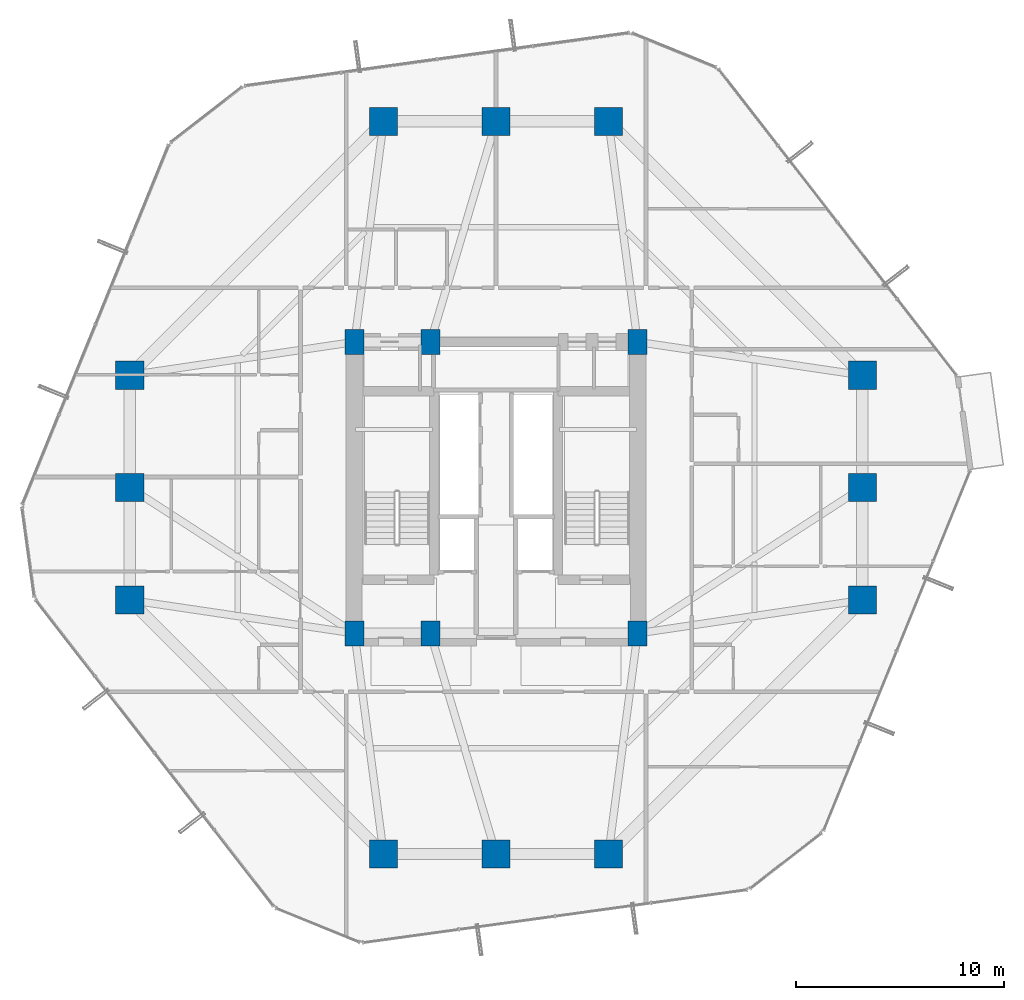
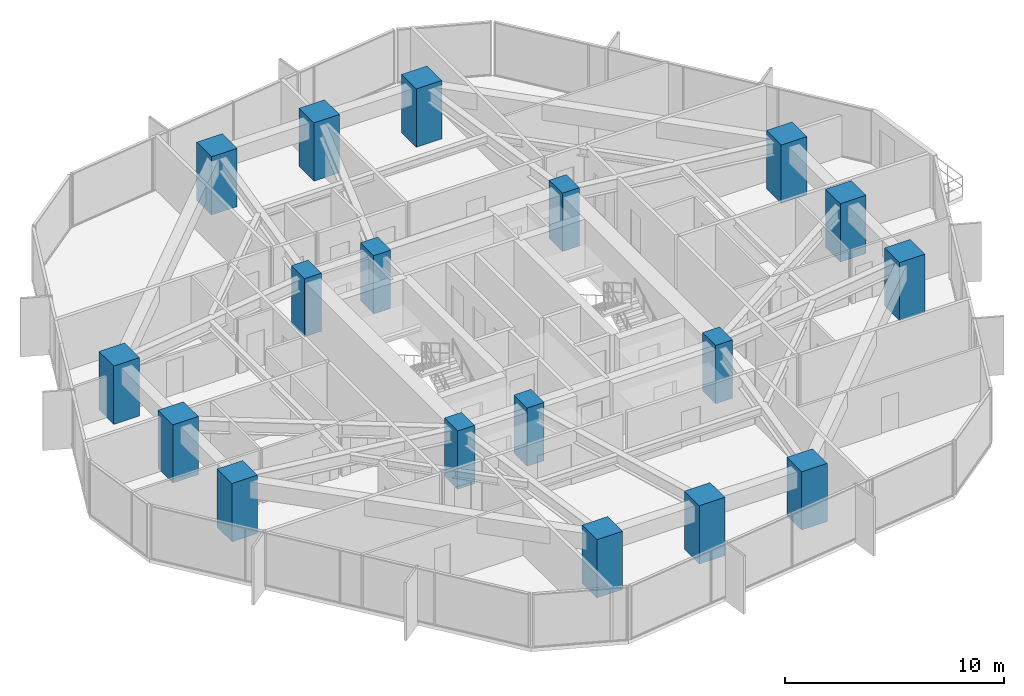
# One storey, part 1 of 37: 18 columns.
"""IFC4 building model written with IfcOpenShell, lengths in metres."""

from ifc_helpers import new_model, si_unit, direction, frame, origin, origin_2d, place, context, subcontext, project, spatial, rectangle, extrude, material, material_profile, profile_set, type_object, element, save


model = new_model("IFC4")

# Units and contexts
model_context = context("Model", 3, precision=1e-05, world=origin(), true_north=direction((0.0, 1.0)))
body_context = subcontext(model_context, "Body", "Model", "MODEL_VIEW")
ifc_project = project(units=[si_unit("LENGTHUNIT", "METRE"), si_unit("AREAUNIT", "SQUARE_METRE"), si_unit("VOLUMEUNIT", "CUBIC_METRE"), si_unit("PLANEANGLEUNIT", "RADIAN"), si_unit("MASSUNIT", "GRAM", prefix="KILO")], contexts=[model_context])

# Site, building, storey
site_placement = place(None, origin())
site = spatial("IfcSite", under=ifc_project, at=site_placement, CompositionType="ELEMENT")
building_placement = place(site_placement, origin())
building = spatial("IfcBuilding", under=site, at=building_placement, Name="Veraguas Prism Commons", CompositionType="ELEMENT")
storey_placement = place(building_placement, frame((0.0, 0.0, 50.050048828125)))
storey = spatial("IfcBuildingStorey", under=building, at=storey_placement, Name="L13", CompositionType="ELEMENT", Elevation=50.050048828125)

# Columns
ifc_material = material(Name="Concrete C60/75", Category="concrete")
ifc_material_profile_1 = material_profile(ifc_material, rectangle(XDim=1.35009765625, YDim=1.35009765625, at=origin_2d()), Name="RC1350X1350")
ifc_profile_set_1 = profile_set([ifc_material_profile_1], Name="Concrete C60/75")
column_type_1 = type_object("IfcColumnType", Name="Column Tube Z1 RC 1350x1350", PredefinedType="COLUMN", material=ifc_profile_set_1)
for number, where, z_axis, x_axis, name in (
    (1, (41.60009765625, 18.60009765625, 0.0), (0.0, 0.0, 1.0), (1.0, 0.0, 0.0), "Tower Perimeter Column L13-TB01"),
    (2, (41.60009765625, 24.0, 0.0), (0.0, 0.0, 1.0), (1.0, 0.0, 0.0), "Tower Perimeter Column L13-TB02"),
    (3, (41.60009765625, 29.39990234375, 0.0), (0.0, 0.0, 1.0), (1.0, 0.0, 0.0), "Tower Perimeter Column L13-TB03"),
    (4, (29.39990234375, 41.60009765625, 0.0), (0.0, 0.0, 1.0), (1.0, 0.0, 0.0), "Tower Perimeter Column L13-TB04"),
    (5, (24.0, 41.60009765625, 0.0), (0.0, 0.0, 1.0), (1.0, 0.0, 0.0), "Tower Perimeter Column L13-TB05"),
    (6, (18.60009765625, 41.60009765625, 0.0), (0.0, 0.0, 1.0), (1.0, 0.0, 0.0), "Tower Perimeter Column L13-TB06"),
    (7, (6.39990234375, 29.39990234375, 0.0), (0.0, 0.0, 1.0), (1.0, 0.0, 0.0), "Tower Perimeter Column L13-TB07"),
    (8, (6.39990234375, 24.0, 0.0), (0.0, 0.0, 1.0), (1.0, 0.0, 0.0), "Tower Perimeter Column L13-TB08"),
    (9, (6.39990234375, 18.60009765625, 0.0), (0.0, 0.0, 1.0), (1.0, 0.0, 0.0), "Tower Perimeter Column L13-TB09"),
    (10, (18.60009765625, 6.39990234375, 0.0), (0.0, 0.0, 1.0), (1.0, 0.0, 0.0), "Tower Perimeter Column L13-TB10"),
    (11, (24.0, 6.39990234375, 0.0), (0.0, 0.0, 1.0), (1.0, 0.0, 0.0), "Tower Perimeter Column L13-TB11"),
    (12, (29.39990234375, 6.39990234375, 0.0), (0.0, 0.0, 1.0), (1.0, 0.0, 0.0), "Tower Perimeter Column L13-TB12"),
):
    element("IfcColumn", number, at=place(storey_placement, frame(where, z_axis=z_axis, x_axis=x_axis)), inside=storey, type_object=column_type_1, Name=name, PredefinedType="COLUMN", context=body_context, shape_type="SweptSolid", body=[
        extrude(rectangle(XDim=1.35009765625, YDim=1.35009765625, at=origin_2d()), origin(), (0.0, 0.0, 1.0), 3.25),
    ])
ifc_material_profile_2 = material_profile(ifc_material, rectangle(XDim=0.89990234375, YDim=1.199951171875, at=origin_2d()), Name="RC900X1200")
ifc_profile_set_2 = profile_set([ifc_material_profile_2], Name="Concrete C60/75")
column_type_2 = type_object("IfcColumnType", Name="Pilaster Core Lower RC 900x1200", PredefinedType="PILASTER", material=ifc_profile_set_2)
for number, where, z_axis, x_axis, name in (
    (13, (17.199951171875, 17.0, 0.0), (0.0, 0.0, 1.0), (1.0, 0.0, 0.0), "Core Pilaster Column L13-CR1"),
    (14, (20.85009765625, 17.0, 0.0), (0.0, 0.0, 1.0), (1.0, 0.0, 0.0), "Core Pilaster Column L13-CR2"),
    (15, (30.800048828125, 17.0, 0.0), (0.0, 0.0, 1.0), (1.0, 0.0, 0.0), "Core Pilaster Column L13-CR3"),
    (16, (17.199951171875, 31.0, 0.0), (0.0, 0.0, 1.0), (1.0, 0.0, 0.0), "Core Pilaster Column L13-CR4"),
    (17, (20.85009765625, 31.0, 0.0), (0.0, 0.0, 1.0), (1.0, 0.0, 0.0), "Core Pilaster Column L13-CR5"),
    (18, (30.800048828125, 31.0, 0.0), (0.0, 0.0, 1.0), (1.0, 0.0, 0.0), "Core Pilaster Column L13-CR6"),
):
    element("IfcColumn", number, at=place(storey_placement, frame(where, z_axis=z_axis, x_axis=x_axis)), inside=storey, type_object=column_type_2, Name=name, PredefinedType="PILASTER", context=body_context, shape_type="SweptSolid", body=[
        extrude(rectangle(XDim=0.89990234375, YDim=1.199951171875, at=origin_2d()), origin(), (0.0, 0.0, 1.0), 3.25),
    ])

save(model, "model.ifc")
